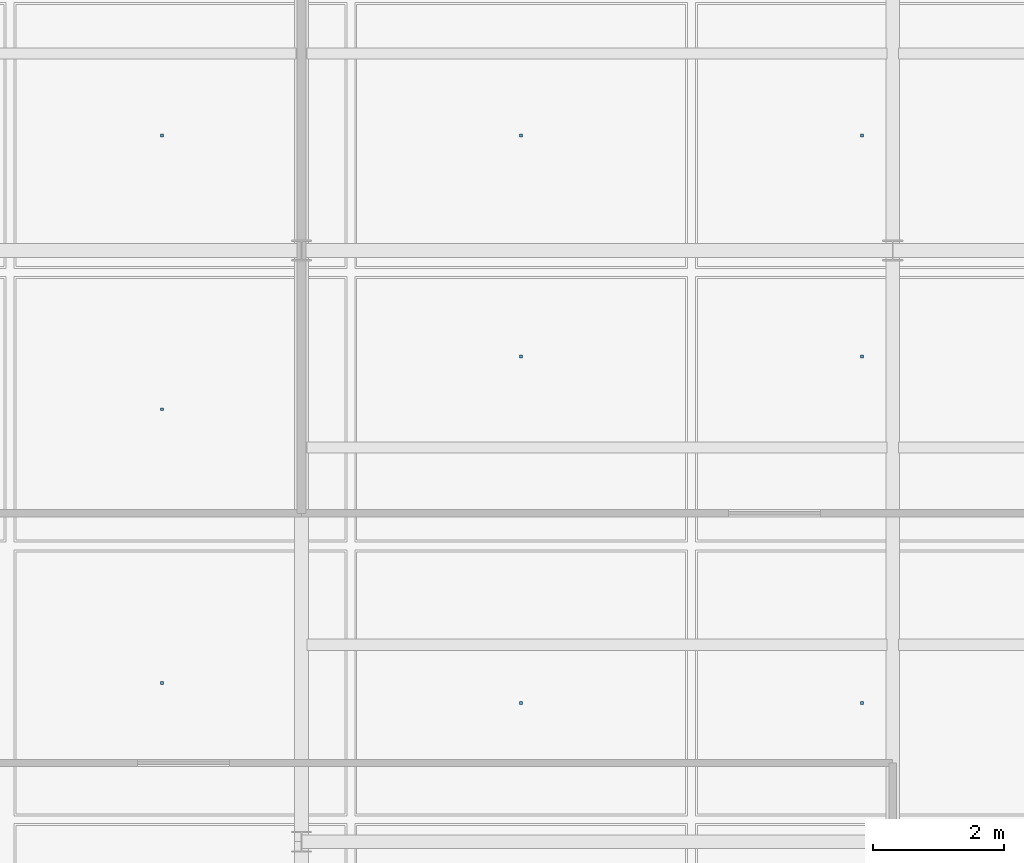
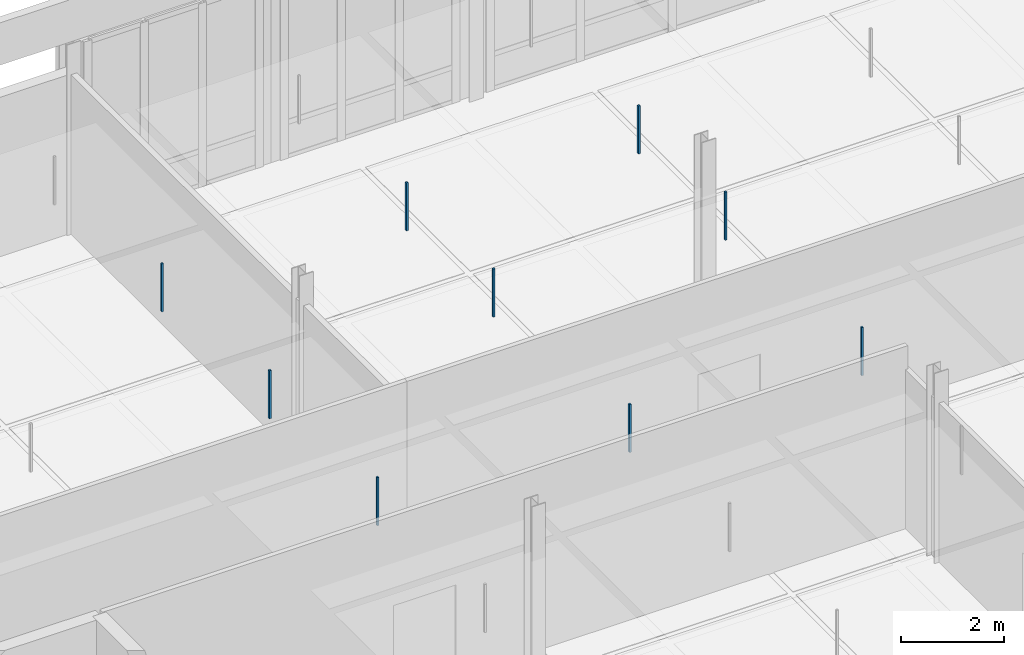
# One storey, part 63 of 89: 9 discrete accessories.
"""IFC4 building model written with IfcOpenShell, lengths in metres."""

import ifcopenshell
import ifcopenshell.guid

model = None  # the IFC model being written
_history = None  # IfcOwnerHistory: only IFC2X3 demands one
_inside = {}  # id of a spatial element -> (the spatial element, [elements in it])
_under = {}  # id of a project, library or spatial element -> (it, [spatial elements below it])
_declared = {}  # id of a project -> (the project, [libraries it declares])
_typed = {}  # id of a type object -> (the type object, [elements of that type])
_made_of = {}  # id of a material, layer set ... -> (it, [elements and type objects made of it])


def new_model(schema):
    """Start an empty IFC model of exactly this schema.

    Asked for "IFC4X3", IfcOpenShell would pick the latest addendum, in which some entities
    have other attributes; the version numbers below select the first issue.
    IFC2X3 requires an IfcOwnerHistory on every rooted entity: one is made here for all.
    """
    global model, _history
    if schema == "IFC4X3":
        model = ifcopenshell.file(schema_version=(4, 3, 0, 0))
    else:
        model = ifcopenshell.file(schema=schema)
    _inside.clear()
    _under.clear()
    _declared.clear()
    _typed.clear()
    _made_of.clear()
    _history = None
    if model.schema == "IFC2X3":
        org = make("IfcOrganization", Name="unknown")
        user = make(
            "IfcPersonAndOrganization",
            ThePerson=make("IfcPerson", FamilyName="unknown"),
            TheOrganization=org,
        )
        app = make(
            "IfcApplication",
            ApplicationDeveloper=org,
            Version="unknown",
            ApplicationFullName="unknown",
            ApplicationIdentifier="unknown",
        )
        _history = make(
            "IfcOwnerHistory",
            OwningUser=user,
            OwningApplication=app,
            ChangeAction="ADDED",
            CreationDate=0,
        )
    return model


def make(cls, **values):
    """One entity of the class cls with the attributes given. An attribute that is None is left unset."""
    return model.create_entity(
        cls, **{name: value for name, value in values.items() if value is not None}
    )


def rooted(cls, **values):
    """An entity with a GlobalId (a new one), such as an element, a storey or a relation."""
    return make(cls, GlobalId=ifcopenshell.guid.new(), OwnerHistory=_history, **values)


def si_unit(unit_type, name, prefix=None):
    """IfcSIUnit, for example si_unit("LENGTHUNIT", "METRE", prefix="MILLI")."""
    return make("IfcSIUnit", UnitType=unit_type, Prefix=prefix, Name=name)


def assignment(units):
    """IfcUnitAssignment: the units of a project."""
    return None if units is None else make("IfcUnitAssignment", Units=units)


def point(xyz):
    """IfcCartesianPoint."""
    return None if xyz is None else make("IfcCartesianPoint", Coordinates=xyz)


def direction(xyz):
    """IfcDirection."""
    return None if xyz is None else make("IfcDirection", DirectionRatios=xyz)


def frame(location, z_axis=None, x_axis=None):
    """IfcAxis2Placement3D, a coordinate frame: its origin and axes. An axis left out is left unset."""
    return make(
        "IfcAxis2Placement3D",
        Location=point(location),
        Axis=direction(z_axis),
        RefDirection=direction(x_axis),
    )


def frame_2d(location, x_axis=None):
    """IfcAxis2Placement2D, a coordinate frame in the plane: its origin and x axis."""
    return make(
        "IfcAxis2Placement2D", Location=point(location), RefDirection=direction(x_axis)
    )


def origin():
    """The frame at (0, 0, 0) with its axes left unset."""
    return frame((0.0, 0.0, 0.0))


def origin_2d():
    """The frame at (0, 0) in the plane with its x axis left unset."""
    return frame_2d((0.0, 0.0))


def place(relative_to, where):
    """IfcLocalPlacement: puts the frame where relative to a parent placement (None: the world)."""
    return make(
        "IfcLocalPlacement", PlacementRelTo=relative_to, RelativePlacement=where
    )


def context(
    kind, dimensions, precision=None, world=None, true_north=None, identifier=None
):
    """IfcGeometricRepresentationContext, for example the 3D "Model" context."""
    return make(
        "IfcGeometricRepresentationContext",
        ContextIdentifier=identifier,
        ContextType=kind,
        CoordinateSpaceDimension=dimensions,
        Precision=precision,
        WorldCoordinateSystem=world,
        TrueNorth=true_north,
    )


def subcontext(parent, identifier, kind, view, scale=None):
    """IfcGeometricRepresentationSubContext, for example "Body" below "Model"."""
    return make(
        "IfcGeometricRepresentationSubContext",
        ContextIdentifier=identifier,
        ContextType=kind,
        ParentContext=parent,
        TargetScale=scale,
        TargetView=view,
    )


def project(units=None, contexts=None):
    """IfcProject with its units and contexts."""
    return rooted(
        "IfcProject",
        Name="project",
        RepresentationContexts=contexts,
        UnitsInContext=assignment(units),
    )


def spatial(cls, under=None, at=None, **own):
    """A site, building, storey or space (cls), placed at a placement, below another one or the project."""
    s = rooted(cls, ObjectPlacement=at, **own)
    if under is not None:
        _under.setdefault(under.id(), (under, []))[1].append(s)
    return s


def profile(cls, at=None, kind="AREA", **sizes):
    """A parametric profile (cls). Its sizes go by their IFC names, for example OverallWidth=200.0."""
    return make(cls, ProfileType=kind, Position=at, **sizes)


def rectangle(**sizes):
    """IfcRectangleProfileDef."""
    return profile("IfcRectangleProfileDef", **sizes)


def extrude(swept, where, along, depth):
    """IfcExtrudedAreaSolid: the profile swept, set in the frame where, extruded along a direction by depth."""
    return make(
        "IfcExtrudedAreaSolid",
        SweptArea=swept,
        Position=where,
        ExtrudedDirection=direction(along),
        Depth=depth,
    )


def shape(context_of_items, identifier, shape_type, items):
    """IfcShapeRepresentation: the items that make up one representation, for example the "Body"."""
    return make(
        "IfcShapeRepresentation",
        ContextOfItems=context_of_items,
        RepresentationIdentifier=identifier,
        RepresentationType=shape_type,
        Items=items,
    )


def material(Name=None, Category=None):
    """IfcMaterial."""
    return make("IfcMaterial", Name=Name, Category=Category)


def made_of(thing, what):
    """Note that an element or type object is made of a material, layer set ...; save() writes the relation."""
    if what is not None:
        _made_of.setdefault(what.id(), (what, []))[1].append(thing)
    return thing


def type_object(cls, material=None, **own):
    """A type object (cls), such as IfcWallType, which elements share."""
    return made_of(rooted(cls, **own), material)


def element(
    cls,
    number,
    at=None,
    inside=None,
    cuts=None,
    type_object=None,
    material=None,
    context=None,
    identifier="Body",
    shape_type=None,
    held_by="IfcProductDefinitionShape",
    body=None,
    shapes=None,
    **own,
):
    """One element of the class cls, such as IfcWall. Its Tag is "e" and its number.

    at: its placement. inside: the storey or other place that contains it. cuts: it is an
    opening in that element (IfcRelVoidsElement). A single representation is given by context,
    identifier, shape_type and body (its items); several are given by shapes. held_by: the class
    of the entity that holds the representations. save() writes the other relations.
    """
    e = rooted(cls, Tag="e%d" % number, ObjectPlacement=at, **own)
    if body is not None:
        shapes = [shape(context, identifier, shape_type, body)]
    if shapes is not None:
        e.Representation = make(held_by, Representations=shapes)
    if inside is not None:
        _inside.setdefault(inside.id(), (inside, []))[1].append(e)
    if cuts is not None:
        rooted(
            "IfcRelVoidsElement", RelatingBuildingElement=cuts, RelatedOpeningElement=e
        )
    if type_object is not None:
        _typed.setdefault(type_object.id(), (type_object, []))[1].append(e)
    return made_of(e, material)


def aggregate(whole, parts):
    """IfcRelAggregates: a whole, such as a stair, and the parts it consists of."""
    return rooted("IfcRelAggregates", RelatingObject=whole, RelatedObjects=parts)


def save(model, path):
    """Write the relations noted so far, then the file.

    IfcRelAggregates (storeys below a building ...), IfcRelContainedInSpatialStructure (elements
    in a storey), IfcRelDefinesByType, IfcRelAssociatesMaterial and IfcRelDeclares: one each for
    every whole, place, type object, material and project.
    """
    for whole, parts in _under.values():
        aggregate(whole, parts)
    for where, things in _inside.values():
        rooted(
            "IfcRelContainedInSpatialStructure",
            RelatedElements=things,
            RelatingStructure=where,
        )
    for kind, things in _typed.values():
        rooted("IfcRelDefinesByType", RelatedObjects=things, RelatingType=kind)
    for what, things in _made_of.values():
        rooted("IfcRelAssociatesMaterial", RelatedObjects=things, RelatingMaterial=what)
    for by, libraries in _declared.values():
        rooted("IfcRelDeclares", RelatingContext=by, RelatedDefinitions=libraries)
    model.write(path)


model = new_model("IFC4")

# Units and contexts
model_context = context("Model", 3, precision=1e-05, world=origin(), true_north=direction((0.0, 1.0)))
body_context = subcontext(model_context, "Body", "Model", "MODEL_VIEW")
ifc_project = project(units=[si_unit("LENGTHUNIT", "METRE"), si_unit("AREAUNIT", "SQUARE_METRE"), si_unit("VOLUMEUNIT", "CUBIC_METRE"), si_unit("PLANEANGLEUNIT", "RADIAN"), si_unit("MASSUNIT", "GRAM", prefix="KILO"), si_unit("THERMODYNAMICTEMPERATUREUNIT", "KELVIN"), si_unit("POWERUNIT", "WATT")], contexts=[model_context])

# Site, building, storey
site_placement = place(None, origin())
site = spatial("IfcSite", under=ifc_project, at=site_placement, CompositionType="ELEMENT")
building_placement = place(site_placement, origin())
building = spatial("IfcBuilding", under=site, at=building_placement, Name="Tallowbark Science Centre", CompositionType="ELEMENT")
storey_placement = place(building_placement, frame((0.0, 0.0, 14.39990234375)))
storey = spatial("IfcBuildingStorey", under=building, at=storey_placement, Name="L03", CompositionType="ELEMENT", Elevation=14.39990234375)

# Discrete accessories
ifc_material = material(Name="Galvanised Steel Grade C350L0 (350 MPa)", Category="steel")
discrete_accessory_type = type_object("IfcDiscreteAccessoryType", Name="ACC-CLG-HNG", PredefinedType="BRACKET", material=ifc_material)
for number, where, z_axis, x_axis, name in (
    (1, (87.876220703125, 83.416748046875, 3.205078125), (0.0, 0.0, 1.0), (1.0, 0.0, 0.0), "Ceiling Hanger Bracket L03-1005"),
    (2, (87.876220703125, 87.583251953125, 3.205078125), (0.0, 0.0, 1.0), (1.0, 0.0, 0.0), "Ceiling Hanger Bracket L03-1006"),
    (3, (87.876220703125, 91.75, 3.205078125), (0.0, 0.0, 1.0), (1.0, 0.0, 0.0), "Ceiling Hanger Bracket L03-1007"),
    (4, (93.34375, 83.11181640625, 3.205078125), (0.0, 0.0, 1.0), (1.0, 0.0, 0.0), "Ceiling Hanger Bracket L03-1011"),
    (5, (93.34375, 88.38818359375, 3.205078125), (0.0, 0.0, 1.0), (1.0, 0.0, 0.0), "Ceiling Hanger Bracket L03-1012"),
    (6, (93.34375, 91.75, 3.205078125), (0.0, 0.0, 1.0), (1.0, 0.0, 0.0), "Ceiling Hanger Bracket L03-1013"),
    (7, (98.53125, 83.11181640625, 3.205078125), (0.0, 0.0, 1.0), (1.0, 0.0, 0.0), "Ceiling Hanger Bracket L03-1017"),
    (8, (98.53125, 88.38818359375, 3.205078125), (0.0, 0.0, 1.0), (1.0, 0.0, 0.0), "Ceiling Hanger Bracket L03-1018"),
    (9, (98.53125, 91.75, 3.205078125), (0.0, 0.0, 1.0), (1.0, 0.0, 0.0), "Ceiling Hanger Bracket L03-1019"),
):
    element("IfcDiscreteAccessory", number, at=place(storey_placement, frame(where, z_axis=z_axis, x_axis=x_axis)), inside=storey, type_object=discrete_accessory_type, Name=name, PredefinedType="BRACKET", context=body_context, shape_type="SweptSolid", body=[
        extrude(rectangle(XDim=0.044921875, YDim=0.044921875, at=origin_2d()), origin(), (0.0, 0.0, 1.0), 1.137939453125),
    ])

save(model, "model.ifc")
